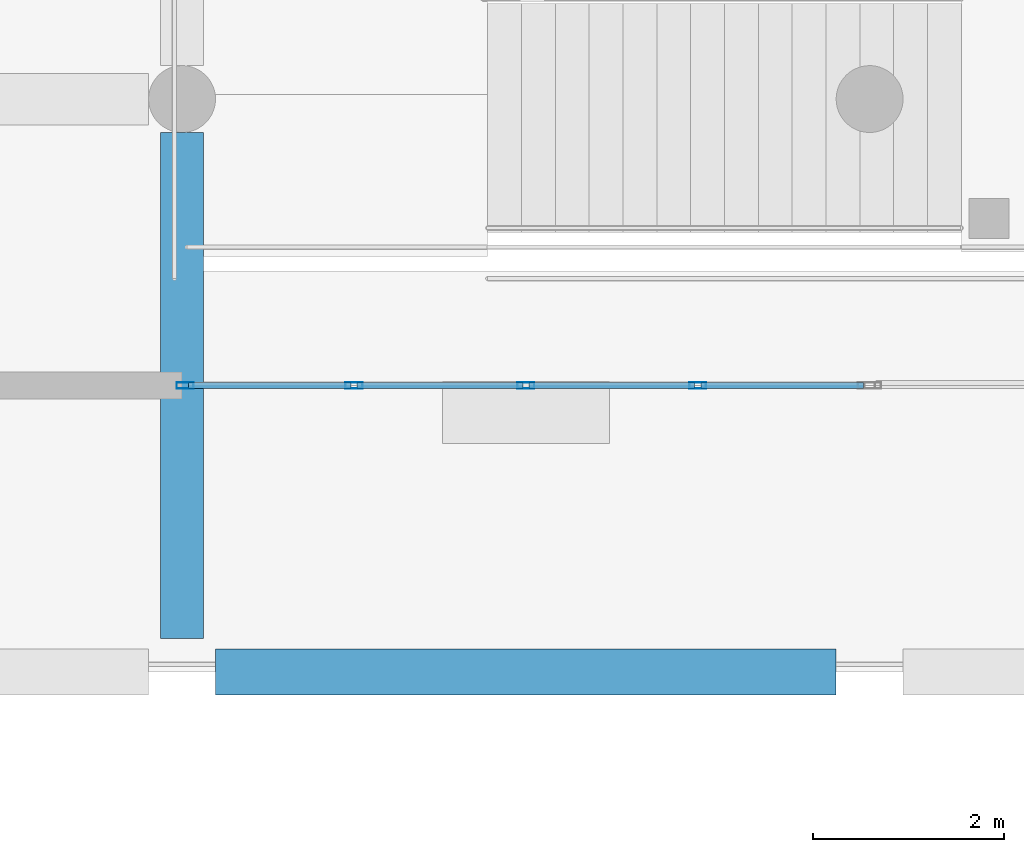
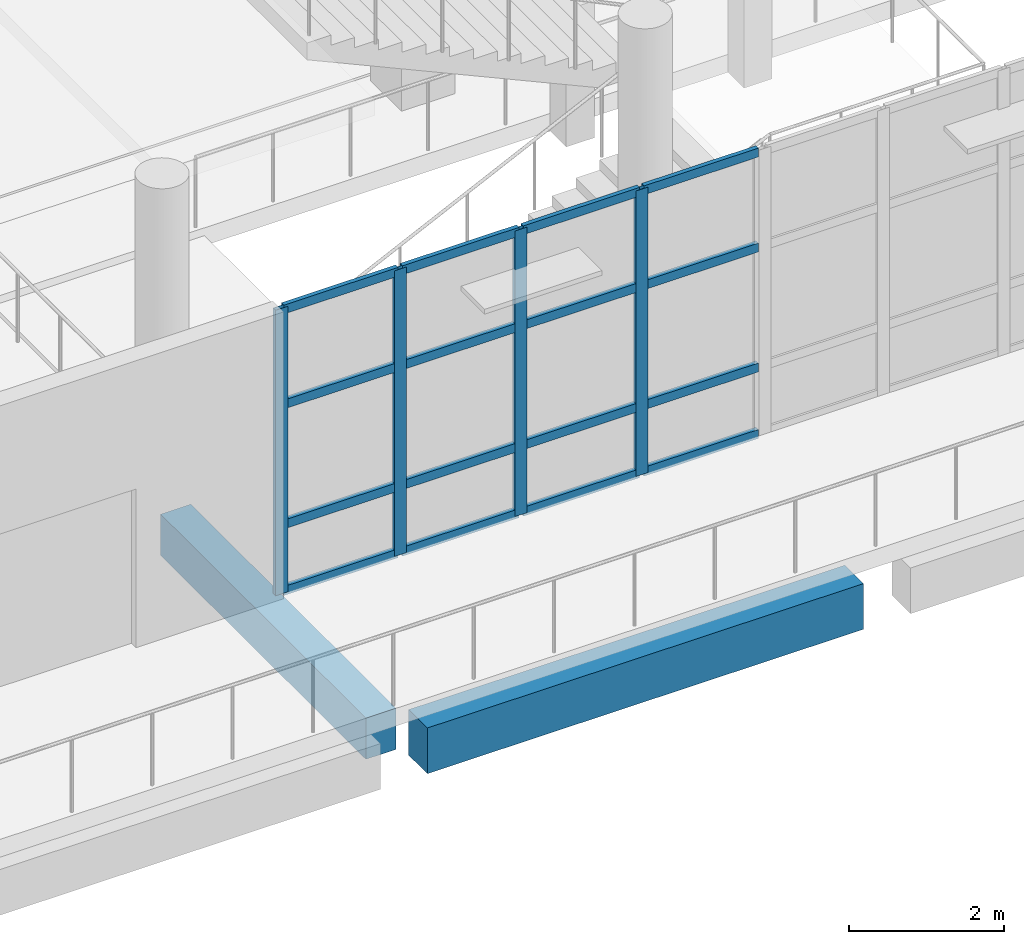
# One storey, part 12 of 79: 20 members, 2 beams, 1 element without a shape of its own.
"""IFC4 building model written with IfcOpenShell, lengths in metres."""

from ifc_helpers import new_model, si_unit, direction, frame, origin, origin_2d, place, context, subcontext, project, spatial, rectangle, hollow_rectangle, extrude, material, material_profile, profile_set, type_object, element, aggregate, save


model = new_model("IFC4")

# Units and contexts
model_context = context("Model", 3, precision=1e-05, world=origin(), true_north=direction((0.0, 1.0)))
body_context = subcontext(model_context, "Body", "Model", "MODEL_VIEW")
ifc_project = project(units=[si_unit("LENGTHUNIT", "METRE"), si_unit("AREAUNIT", "SQUARE_METRE"), si_unit("VOLUMEUNIT", "CUBIC_METRE"), si_unit("PLANEANGLEUNIT", "RADIAN"), si_unit("MASSUNIT", "GRAM", prefix="KILO")], contexts=[model_context])

# Site, building, storey
site_placement = place(None, origin())
site = spatial("IfcSite", under=ifc_project, at=site_placement, CompositionType="ELEMENT")
building_placement = place(site_placement, origin())
building = spatial("IfcBuilding", under=site, at=building_placement, Name="Pellamere Symphony Hall", CompositionType="ELEMENT")
storey_placement = place(building_placement, frame((0.0, 0.0, 10.199951171875)))
storey = spatial("IfcBuildingStorey", under=building, at=storey_placement, Name="L02", CompositionType="ELEMENT", Elevation=10.199951171875)

# Curtain wall, members
ifc_material_1 = material(Name="Thermally Broken Anodised Aluminium 6063-T6 Curtain Wall", Category="aluminium")
curtain_wall_type = type_object("IfcCurtainWallType", Name="Curtain Wall CW-02 (Winter-Garden South Concourse Curtain Wall)", PredefinedType="NOTDEFINED", material=ifc_material_1)
curtain_wall_placement = place(storey_placement, origin())
curtain_wall = element("IfcCurtainWall", 1, at=curtain_wall_placement, inside=storey, type_object=curtain_wall_type, Name="Winter-Garden South Curtain Wall (L02 Bay 5)", PredefinedType="NOTDEFINED")
ifc_material_2 = material(Name="Anodised Architectural Aluminium 6063-T6", Category="aluminium")
ifc_material_profile_1 = material_profile(ifc_material_2, hollow_rectangle(XDim=0.06494140625, YDim=0.179931640625, WallThickness=0.00390625, at=origin_2d()), Name="ALU-M65X180X4")
ifc_profile_set_1 = profile_set([ifc_material_profile_1], Name="Anodised Architectural Aluminium 6063-T6")
member_type_1 = type_object("IfcMemberType", Name="Curtain Wall Mullion ML-02 ALU-M65X180X4", PredefinedType="MULLION", material=ifc_profile_set_1)
member_1_placement = place(storey_placement, frame((73.232421875, 21.0, 0.0), z_axis=(0.0, 0.0, 1.0), x_axis=(0.0, 1.0, 0.0)))
member_1 = element("IfcMember", 2, at=member_1_placement, type_object=member_type_1, Name="CW2-080 crystal mullion 1", PredefinedType="MULLION", context=body_context, shape_type="SweptSolid", body=[
    extrude(hollow_rectangle(XDim=0.06494140625, YDim=0.179931640625, WallThickness=0.00390625, at=origin_2d()), origin(), (0.0, 0.0, 1.0), 4.5),
])
member_2_placement = place(storey_placement, frame((75.0, 21.0, 0.0), z_axis=(0.0, 0.0, 1.0), x_axis=(0.0, 1.0, 0.0)))
member_2 = element("IfcMember", 3, at=member_2_placement, type_object=member_type_1, Name="CW2-080 crystal mullion 2", PredefinedType="MULLION", context=body_context, shape_type="SweptSolid", body=[
    extrude(hollow_rectangle(XDim=0.06494140625, YDim=0.179931640625, WallThickness=0.00390625, at=origin_2d()), origin(), (0.0, 0.0, 1.0), 4.5),
])
member_3_placement = place(storey_placement, frame((76.800048828125, 21.0, 0.0), z_axis=(0.0, 0.0, 1.0), x_axis=(0.0, 1.0, 0.0)))
member_3 = element("IfcMember", 4, at=member_3_placement, type_object=member_type_1, Name="CW2-080 crystal mullion 3", PredefinedType="MULLION", context=body_context, shape_type="SweptSolid", body=[
    extrude(hollow_rectangle(XDim=0.06494140625, YDim=0.179931640625, WallThickness=0.00390625, at=origin_2d()), origin(), (0.0, 0.0, 1.0), 4.5),
])
member_4_placement = place(storey_placement, frame((78.60009765625, 21.0, 0.0), z_axis=(0.0, 0.0, 1.0), x_axis=(0.0, 1.0, 0.0)))
member_4 = element("IfcMember", 5, at=member_4_placement, type_object=member_type_1, Name="CW2-080 crystal mullion 4", PredefinedType="MULLION", context=body_context, shape_type="SweptSolid", body=[
    extrude(hollow_rectangle(XDim=0.06494140625, YDim=0.179931640625, WallThickness=0.00390625, at=origin_2d()), origin(), (0.0, 0.0, 1.0), 4.5),
])
ifc_material_profile_2 = material_profile(ifc_material_2, hollow_rectangle(XDim=0.06494140625, YDim=0.139892578125, WallThickness=0.00390625, at=origin_2d()), Name="ALU-T65X140X4")
ifc_profile_set_2 = profile_set([ifc_material_profile_2], Name="Anodised Architectural Aluminium 6063-T6")
member_type_2 = type_object("IfcMemberType", Name="Curtain Wall Transom TR-02 ALU-T65X140X4", PredefinedType="USERDEFINED", material=ifc_profile_set_2)
member_5_placement = place(storey_placement, frame((73.264892578125, 21.0, 0.032470703125), z_axis=(1.0, 0.0, 0.0), x_axis=(0.0, 1.0, 0.0)))
member_5 = element("IfcMember", 6, at=member_5_placement, type_object=member_type_2, Name="CW2-080 crystal transom 1.1", ObjectType="TRANSOM", PredefinedType="USERDEFINED", context=body_context, shape_type="SweptSolid", body=[
    extrude(hollow_rectangle(XDim=0.06494140625, YDim=0.139892578125, WallThickness=0.00390625, at=origin_2d()), origin(), (0.0, 0.0, 1.0), 1.70263671875),
])
member_6_placement = place(storey_placement, frame((73.264892578125, 21.0, 1.080078125), z_axis=(1.0, 0.0, 0.0), x_axis=(0.0, 1.0, 0.0)))
member_6 = element("IfcMember", 7, at=member_6_placement, type_object=member_type_2, Name="CW2-080 crystal transom 1.2", ObjectType="TRANSOM", PredefinedType="USERDEFINED", context=body_context, shape_type="SweptSolid", body=[
    extrude(hollow_rectangle(XDim=0.06494140625, YDim=0.139892578125, WallThickness=0.00390625, at=origin_2d()), origin(), (0.0, 0.0, 1.0), 1.70263671875),
])
member_7_placement = place(storey_placement, frame((73.264892578125, 21.0, 2.969970703125), z_axis=(1.0, 0.0, 0.0), x_axis=(0.0, 1.0, 0.0)))
member_7 = element("IfcMember", 8, at=member_7_placement, type_object=member_type_2, Name="CW2-080 crystal transom 1.3", ObjectType="TRANSOM", PredefinedType="USERDEFINED", context=body_context, shape_type="SweptSolid", body=[
    extrude(hollow_rectangle(XDim=0.06494140625, YDim=0.139892578125, WallThickness=0.00390625, at=origin_2d()), origin(), (0.0, 0.0, 1.0), 1.70263671875),
])
member_8_placement = place(storey_placement, frame((73.264892578125, 21.0, 4.467529296875), z_axis=(1.0, 0.0, 0.0), x_axis=(0.0, 1.0, 0.0)))
member_8 = element("IfcMember", 9, at=member_8_placement, type_object=member_type_2, Name="CW2-080 crystal transom 1.4", ObjectType="TRANSOM", PredefinedType="USERDEFINED", context=body_context, shape_type="SweptSolid", body=[
    extrude(hollow_rectangle(XDim=0.06494140625, YDim=0.139892578125, WallThickness=0.00390625, at=origin_2d()), origin(), (0.0, 0.0, 1.0), 1.70263671875),
])
member_9_placement = place(storey_placement, frame((75.032470703125, 21.0, 0.032470703125), z_axis=(1.0, 0.0, 0.0), x_axis=(0.0, 1.0, 0.0)))
member_9 = element("IfcMember", 10, at=member_9_placement, type_object=member_type_2, Name="CW2-080 crystal transom 2.1", ObjectType="TRANSOM", PredefinedType="USERDEFINED", context=body_context, shape_type="SweptSolid", body=[
    extrude(hollow_rectangle(XDim=0.06494140625, YDim=0.139892578125, WallThickness=0.00390625, at=origin_2d()), origin(), (0.0, 0.0, 1.0), 1.735107421875),
])
member_10_placement = place(storey_placement, frame((75.032470703125, 21.0, 1.080078125), z_axis=(1.0, 0.0, 0.0), x_axis=(0.0, 1.0, 0.0)))
member_10 = element("IfcMember", 11, at=member_10_placement, type_object=member_type_2, Name="CW2-080 crystal transom 2.2", ObjectType="TRANSOM", PredefinedType="USERDEFINED", context=body_context, shape_type="SweptSolid", body=[
    extrude(hollow_rectangle(XDim=0.06494140625, YDim=0.139892578125, WallThickness=0.00390625, at=origin_2d()), origin(), (0.0, 0.0, 1.0), 1.735107421875),
])
member_11_placement = place(storey_placement, frame((75.032470703125, 21.0, 2.969970703125), z_axis=(1.0, 0.0, 0.0), x_axis=(0.0, 1.0, 0.0)))
member_11 = element("IfcMember", 12, at=member_11_placement, type_object=member_type_2, Name="CW2-080 crystal transom 2.3", ObjectType="TRANSOM", PredefinedType="USERDEFINED", context=body_context, shape_type="SweptSolid", body=[
    extrude(hollow_rectangle(XDim=0.06494140625, YDim=0.139892578125, WallThickness=0.00390625, at=origin_2d()), origin(), (0.0, 0.0, 1.0), 1.735107421875),
])
member_12_placement = place(storey_placement, frame((75.032470703125, 21.0, 4.467529296875), z_axis=(1.0, 0.0, 0.0), x_axis=(0.0, 1.0, 0.0)))
member_12 = element("IfcMember", 13, at=member_12_placement, type_object=member_type_2, Name="CW2-080 crystal transom 2.4", ObjectType="TRANSOM", PredefinedType="USERDEFINED", context=body_context, shape_type="SweptSolid", body=[
    extrude(hollow_rectangle(XDim=0.06494140625, YDim=0.139892578125, WallThickness=0.00390625, at=origin_2d()), origin(), (0.0, 0.0, 1.0), 1.735107421875),
])
member_13_placement = place(storey_placement, frame((76.83251953125, 21.0, 0.032470703125), z_axis=(1.0, 0.0, 0.0), x_axis=(0.0, 1.0, 0.0)))
member_13 = element("IfcMember", 14, at=member_13_placement, type_object=member_type_2, Name="CW2-080 crystal transom 3.1", ObjectType="TRANSOM", PredefinedType="USERDEFINED", context=body_context, shape_type="SweptSolid", body=[
    extrude(hollow_rectangle(XDim=0.06494140625, YDim=0.139892578125, WallThickness=0.00390625, at=origin_2d()), origin(), (0.0, 0.0, 1.0), 1.73486328125),
])
member_14_placement = place(storey_placement, frame((76.83251953125, 21.0, 1.080078125), z_axis=(1.0, 0.0, 0.0), x_axis=(0.0, 1.0, 0.0)))
member_14 = element("IfcMember", 15, at=member_14_placement, type_object=member_type_2, Name="CW2-080 crystal transom 3.2", ObjectType="TRANSOM", PredefinedType="USERDEFINED", context=body_context, shape_type="SweptSolid", body=[
    extrude(hollow_rectangle(XDim=0.06494140625, YDim=0.139892578125, WallThickness=0.00390625, at=origin_2d()), origin(), (0.0, 0.0, 1.0), 1.73486328125),
])
member_15_placement = place(storey_placement, frame((76.83251953125, 21.0, 2.969970703125), z_axis=(1.0, 0.0, 0.0), x_axis=(0.0, 1.0, 0.0)))
member_15 = element("IfcMember", 16, at=member_15_placement, type_object=member_type_2, Name="CW2-080 crystal transom 3.3", ObjectType="TRANSOM", PredefinedType="USERDEFINED", context=body_context, shape_type="SweptSolid", body=[
    extrude(hollow_rectangle(XDim=0.06494140625, YDim=0.139892578125, WallThickness=0.00390625, at=origin_2d()), origin(), (0.0, 0.0, 1.0), 1.73486328125),
])
member_16_placement = place(storey_placement, frame((76.83251953125, 21.0, 4.467529296875), z_axis=(1.0, 0.0, 0.0), x_axis=(0.0, 1.0, 0.0)))
member_16 = element("IfcMember", 17, at=member_16_placement, type_object=member_type_2, Name="CW2-080 crystal transom 3.4", ObjectType="TRANSOM", PredefinedType="USERDEFINED", context=body_context, shape_type="SweptSolid", body=[
    extrude(hollow_rectangle(XDim=0.06494140625, YDim=0.139892578125, WallThickness=0.00390625, at=origin_2d()), origin(), (0.0, 0.0, 1.0), 1.73486328125),
])
member_17_placement = place(storey_placement, frame((78.632568359375, 21.0, 0.032470703125), z_axis=(1.0, 0.0, 0.0), x_axis=(0.0, 1.0, 0.0)))
member_17 = element("IfcMember", 18, at=member_17_placement, type_object=member_type_2, Name="CW2-080 crystal transom 4.1", ObjectType="TRANSOM", PredefinedType="USERDEFINED", context=body_context, shape_type="SweptSolid", body=[
    extrude(hollow_rectangle(XDim=0.06494140625, YDim=0.139892578125, WallThickness=0.00390625, at=origin_2d()), origin(), (0.0, 0.0, 1.0), 1.702392578125),
])
member_18_placement = place(storey_placement, frame((78.632568359375, 21.0, 1.080078125), z_axis=(1.0, 0.0, 0.0), x_axis=(0.0, 1.0, 0.0)))
member_18 = element("IfcMember", 19, at=member_18_placement, type_object=member_type_2, Name="CW2-080 crystal transom 4.2", ObjectType="TRANSOM", PredefinedType="USERDEFINED", context=body_context, shape_type="SweptSolid", body=[
    extrude(hollow_rectangle(XDim=0.06494140625, YDim=0.139892578125, WallThickness=0.00390625, at=origin_2d()), origin(), (0.0, 0.0, 1.0), 1.702392578125),
])
member_19_placement = place(storey_placement, frame((78.632568359375, 21.0, 2.969970703125), z_axis=(1.0, 0.0, 0.0), x_axis=(0.0, 1.0, 0.0)))
member_19 = element("IfcMember", 20, at=member_19_placement, type_object=member_type_2, Name="CW2-080 crystal transom 4.3", ObjectType="TRANSOM", PredefinedType="USERDEFINED", context=body_context, shape_type="SweptSolid", body=[
    extrude(hollow_rectangle(XDim=0.06494140625, YDim=0.139892578125, WallThickness=0.00390625, at=origin_2d()), origin(), (0.0, 0.0, 1.0), 1.702392578125),
])
member_20_placement = place(storey_placement, frame((78.632568359375, 21.0, 4.467529296875), z_axis=(1.0, 0.0, 0.0), x_axis=(0.0, 1.0, 0.0)))
member_20 = element("IfcMember", 21, at=member_20_placement, type_object=member_type_2, Name="CW2-080 crystal transom 4.4", ObjectType="TRANSOM", PredefinedType="USERDEFINED", context=body_context, shape_type="SweptSolid", body=[
    extrude(hollow_rectangle(XDim=0.06494140625, YDim=0.139892578125, WallThickness=0.00390625, at=origin_2d()), origin(), (0.0, 0.0, 1.0), 1.702392578125),
])
aggregate(curtain_wall, [member_1, member_2, member_3, member_4, member_5, member_6, member_7, member_8, member_9, member_10, member_11, member_12, member_13, member_14, member_15, member_16, member_17, member_18, member_19, member_20])

# Beams
ifc_material_3 = material(Name="Concrete 40 MPa", Category="concrete")
ifc_material_profile_3 = material_profile(ifc_material_3, rectangle(XDim=0.449951171875, YDim=0.64990234375, at=origin_2d()), Name="RC 450x650")
ifc_profile_set_3 = profile_set([ifc_material_profile_3], Name="Concrete 40 MPa")
beam_type_1 = type_object("IfcBeamType", Name="RC CB-08 450x650", PredefinedType="BEAM", material=ifc_profile_set_3)
beam_1_placement = place(storey_placement, frame((73.199951171875, 18.35009765625, -0.60498046875), z_axis=(0.0, 1.0, 0.0), x_axis=(-1.0, 0.0, 0.0)))
element("IfcBeam", 22, at=beam_1_placement, inside=storey, type_object=beam_type_1, Name="Girder CB-08-Y1278 (L02)", PredefinedType="BEAM", context=body_context, shape_type="SweptSolid", body=[
    extrude(rectangle(XDim=0.449951171875, YDim=0.64990234375, at=origin_2d()), origin(), (0.0, 0.0, 1.0), 5.2998046875),
])
ifc_material_profile_4 = material_profile(ifc_material_3, rectangle(XDim=0.47998046875, YDim=0.719970703125, at=origin_2d()), Name="RC 480x720")
ifc_profile_set_4 = profile_set([ifc_material_profile_4], Name="Concrete 40 MPa")
beam_type_2 = type_object("IfcBeamType", Name="RC CB-14 480x720", PredefinedType="SPANDREL", material=ifc_profile_set_4)
beam_2_placement = place(storey_placement, frame((73.550048828125, 18.0, -0.639892578125), z_axis=(1.0, 0.0, 0.0), x_axis=(0.0, 1.0, 0.0)))
element("IfcBeam", 23, at=beam_2_placement, inside=storey, type_object=beam_type_2, Name="Girder CB-14-X1044 (L02)", PredefinedType="SPANDREL", context=body_context, shape_type="SweptSolid", body=[
    extrude(rectangle(XDim=0.47998046875, YDim=0.719970703125, at=origin_2d()), origin(), (0.0, 0.0, 1.0), 6.5),
])

save(model, "model.ifc")
